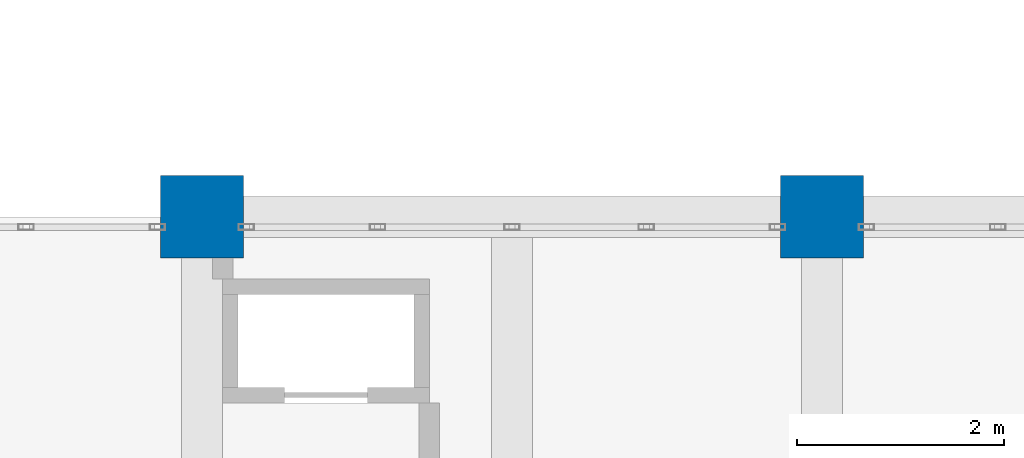
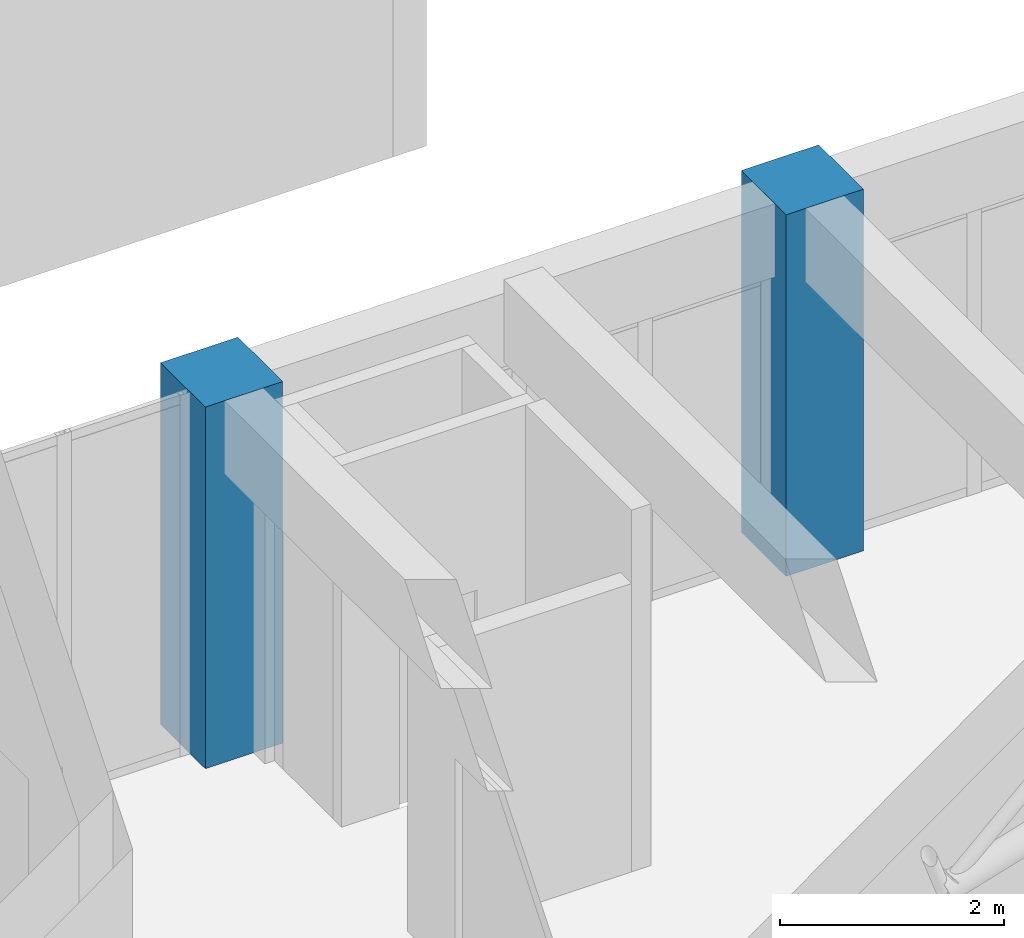
# One storey, part 2 of 92: 2 columns.
"""IFC4 building model written with IfcOpenShell, lengths in metres."""

from ifc_helpers import new_model, si_unit, direction, frame, origin, origin_2d, place, context, subcontext, project, spatial, rectangle, extrude, material, material_profile, profile_set, type_object, element, save


model = new_model("IFC4")

# Units and contexts
model_context = context("Model", 3, precision=1e-05, world=origin(), true_north=direction((0.0, 1.0)))
body_context = subcontext(model_context, "Body", "Model", "MODEL_VIEW")
ifc_project = project(units=[si_unit("LENGTHUNIT", "METRE"), si_unit("AREAUNIT", "SQUARE_METRE"), si_unit("VOLUMEUNIT", "CUBIC_METRE"), si_unit("PLANEANGLEUNIT", "RADIAN"), si_unit("MASSUNIT", "GRAM", prefix="KILO")], contexts=[model_context])

# Site, building, storey
site_placement = place(None, origin())
site = spatial("IfcSite", under=ifc_project, at=site_placement, CompositionType="ELEMENT")
building_placement = place(site_placement, origin())
building = spatial("IfcBuilding", under=site, at=building_placement, Name="Laocheng Heights Fire and Rescue Headquarters", CompositionType="ELEMENT")
storey_placement = place(building_placement, frame((0.0, 0.0, 12.60009765625)))
storey = spatial("IfcBuildingStorey", under=building, at=storey_placement, Name="L03", CompositionType="ELEMENT", Elevation=12.60009765625)

# Columns
ifc_material = material(Name="Concrete C50", Category="concrete")
ifc_material_profile = material_profile(ifc_material, rectangle(XDim=0.800048828125, YDim=0.800048828125, at=origin_2d()), Name="RC COLUMN 800x800 GALLERY")
ifc_profile_set = profile_set([ifc_material_profile], Name="Concrete C50")
column_type = type_object("IfcColumnType", Name="RC COLUMN 800x800 GALLERY", PredefinedType="COLUMN", material=ifc_profile_set)
for number, where, z_axis, x_axis, name in (
    (1, (24.0, 28.800048828125, 0.0), (0.0, 0.0, 1.0), (1.0, 0.0, 0.0), "Gallery column"),
    (2, (30.0, 28.800048828125, 0.0), (0.0, 0.0, 1.0), (1.0, 0.0, 0.0), "Gallery column"),
):
    element("IfcColumn", number, at=place(storey_placement, frame(where, z_axis=z_axis, x_axis=x_axis)), inside=storey, type_object=column_type, Name=name, PredefinedType="COLUMN", context=body_context, shape_type="SweptSolid", body=[
        extrude(rectangle(XDim=0.800048828125, YDim=0.800048828125, at=origin_2d()), origin(), (0.0, 0.0, 1.0), 3.949951171875),
    ])

save(model, "model.ifc")
